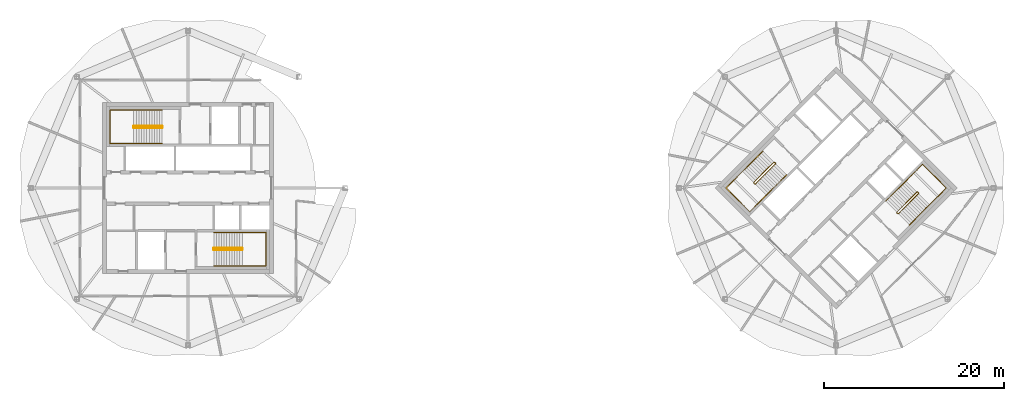
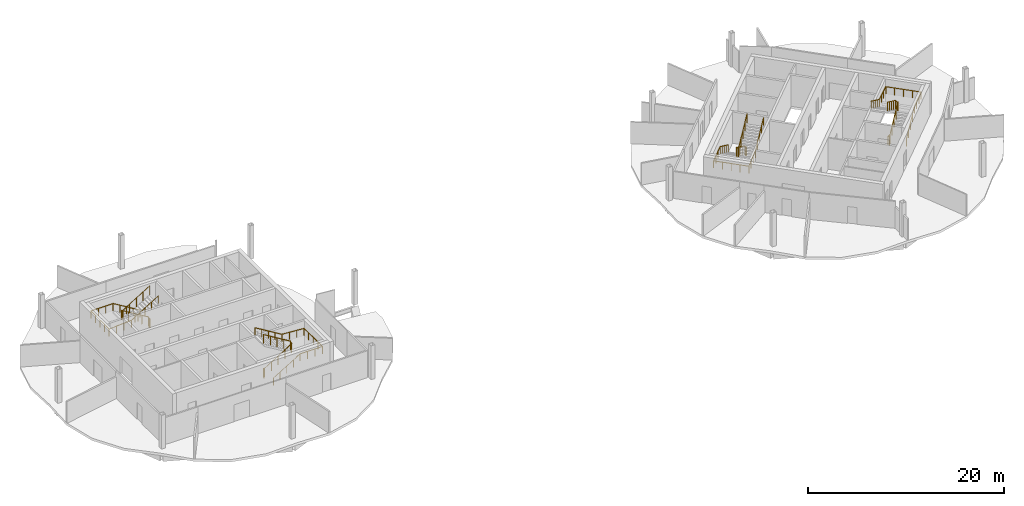
# One storey, part 11 of 11: 8 railings.
"""IFC4 building model written with IfcOpenShell, lengths in metres."""

from ifc_helpers import new_model, si_unit, direction, frame, origin, origin_2d, place, context, subcontext, project, spatial, circle, extrude, material, type_object, element, save


model = new_model("IFC4")

# Units and contexts
model_context = context("Model", 3, precision=1e-05, world=origin(), true_north=direction((0.0, 1.0)))
body_context = subcontext(model_context, "Body", "Model", "MODEL_VIEW")
ifc_project = project(units=[si_unit("LENGTHUNIT", "METRE"), si_unit("AREAUNIT", "SQUARE_METRE"), si_unit("VOLUMEUNIT", "CUBIC_METRE"), si_unit("PLANEANGLEUNIT", "RADIAN"), si_unit("MASSUNIT", "GRAM", prefix="KILO")], contexts=[model_context])

# Site, building, storey
site_placement = place(None, origin())
site = spatial("IfcSite", under=ifc_project, at=site_placement, CompositionType="ELEMENT")
building_placement = place(site_placement, origin())
building = spatial("IfcBuilding", under=site, at=building_placement, Name="Ogive Gate Towers", CompositionType="ELEMENT")
storey_placement = place(building_placement, frame((0.0, 0.0, 281.39990234375)))
storey = spatial("IfcBuildingStorey", under=building, at=storey_placement, Name="L66", CompositionType="ELEMENT", Elevation=281.39990234375)

# Railings
ifc_material = material(Name="Stainless steel", Category="steel")
railing_type_1 = type_object("IfcRailingType", Name="Stair guard 1100", PredefinedType="GUARDRAIL", material=ifc_material)
railing_1_placement = place(storey_placement, frame((-38.81494140625, 6.860107421875, 0.0)))
element("IfcRailing", 1, at=railing_1_placement, inside=storey, type_object=railing_type_1, Name="L66 ST1 stair guard 1", PredefinedType="GUARDRAIL", context=body_context, shape_type="SweptSolid", body=[
    extrude(circle(Radius=0.02392578125, at=origin_2d()), frame((0.0, 0.0, 1.076171875), z_axis=(0.0, -1.0, 0.0), x_axis=(1.0, 0.0, 0.0)), (0.0, 0.0, 1.0), 0.14501953125),
    extrude(circle(Radius=0.02392578125, at=origin_2d()), frame((0.0, -0.14501953125, 1.076171875), z_axis=(-0.187693211448, 0.730630159683, 0.656468451746), x_axis=(-0.968551454522, -0.24881334358, 0.0)), (0.0, 0.0, 1.0), 0.2666015625),
    extrude(circle(Radius=0.02392578125, at=origin_2d()), frame((-0.050048828125, 0.0498046875, 1.2509765625), z_axis=(-0.854199828955, 0.0, 0.519944854973), x_axis=(0.0, -1.0, 0.0)), (0.0, 0.0, 1.0), 3.702392578125),
    extrude(circle(Radius=0.02392578125, at=origin_2d()), frame((-3.212646484375, 0.0498046875, 3.17626953125), z_axis=(-0.707106781187, -0.707106781187, 0.0), x_axis=(0.707106781187, -0.707106781187, 0.0)), (0.0, 0.0, 1.0), 0.0703125),
    extrude(circle(Radius=0.02392578125, at=origin_2d()), frame((-3.262451171875, 0.0, 3.17626953125), z_axis=(0.0, -1.0, 0.0), x_axis=(1.0, 0.0, 0.0)), (0.0, 0.0, 1.0), 0.14501953125),
    extrude(circle(Radius=0.02392578125, at=origin_2d()), frame((-3.262451171875, -0.14501953125, 3.17626953125), z_axis=(0.263862480399, -0.265155923931, 0.927399011991), x_axis=(0.708833529934, 0.705375805398, 0.0)), (0.0, 0.0, 1.0), 0.188720703125),
    extrude(circle(Radius=0.02392578125, at=origin_2d()), frame((-3.212646484375, -0.195068359375, 3.35107421875), z_axis=(0.854199828955, 0.0, 0.519944854973), x_axis=(0.0, 1.0, 0.0)), (0.0, 0.0, 1.0), 3.702392578125),
    extrude(circle(Radius=0.02099609375, at=origin_2d()), origin(), (0.0, 0.0, 1.0), 1.052001953125),
    extrude(circle(Radius=0.02099609375, at=origin_2d()), frame((0.0, -0.14501953125, 0.0)), (0.0, 0.0, 1.0), 1.052001953125),
    extrude(circle(Radius=0.02099609375, at=origin_2d()), frame((-0.050048828125, 0.0498046875, 0.175048828125)), (0.0, 0.0, 1.0), 1.052001953125),
    extrude(circle(Radius=0.02099609375, at=origin_2d()), frame((-0.8408203125, 0.0498046875, 0.65625)), (0.0, 0.0, 1.0), 1.052001953125),
    extrude(circle(Radius=0.02099609375, at=origin_2d()), frame((-1.63134765625, 0.0498046875, 1.1376953125)), (0.0, 0.0, 1.0), 1.052001953125),
    extrude(circle(Radius=0.02099609375, at=origin_2d()), frame((-2.421875, 0.0498046875, 1.618896484375)), (0.0, 0.0, 1.0), 1.052001953125),
    extrude(circle(Radius=0.02099609375, at=origin_2d()), frame((-3.212646484375, 0.0498046875, 2.10009765625)), (0.0, 0.0, 1.0), 1.052001953125),
    extrude(circle(Radius=0.02099609375, at=origin_2d()), frame((-3.262451171875, 0.0, 2.10009765625)), (0.0, 0.0, 1.0), 1.052001953125),
    extrude(circle(Radius=0.02099609375, at=origin_2d()), frame((-3.262451171875, -0.14501953125, 2.10009765625)), (0.0, 0.0, 1.0), 1.052001953125),
    extrude(circle(Radius=0.02099609375, at=origin_2d()), frame((-3.212646484375, -0.195068359375, 2.275146484375)), (0.0, 0.0, 1.0), 1.052001953125),
    extrude(circle(Radius=0.02099609375, at=origin_2d()), frame((-2.421875, -0.195068359375, 2.75634765625)), (0.0, 0.0, 1.0), 1.052001953125),
    extrude(circle(Radius=0.02099609375, at=origin_2d()), frame((-1.63134765625, -0.195068359375, 3.23779296875)), (0.0, 0.0, 1.0), 1.052001953125),
    extrude(circle(Radius=0.02099609375, at=origin_2d()), frame((-0.8408203125, -0.195068359375, 3.718994140625)), (0.0, 0.0, 1.0), 1.052001953125),
    extrude(circle(Radius=0.02099609375, at=origin_2d()), frame((-0.050048828125, -0.195068359375, 4.2001953125)), (0.0, 0.0, 1.0), 1.052001953125),
])
railing_2_placement = place(storey_placement, frame((-33.18505859375, -6.860107421875, 0.0)))
element("IfcRailing", 2, at=railing_2_placement, inside=storey, type_object=railing_type_1, Name="L66 ST2 stair guard 1", PredefinedType="GUARDRAIL", context=body_context, shape_type="SweptSolid", body=[
    extrude(circle(Radius=0.02392578125, at=origin_2d()), frame((0.0, 0.0, 1.076171875), z_axis=(0.0, 1.0, 0.0), x_axis=(-1.0, 0.0, 0.0)), (0.0, 0.0, 1.0), 0.14501953125),
    extrude(circle(Radius=0.02392578125, at=origin_2d()), frame((0.0, 0.14501953125, 1.076171875), z_axis=(0.187693211448, -0.730630159683, 0.656468451746), x_axis=(0.968551454522, 0.24881334358, 0.0)), (0.0, 0.0, 1.0), 0.2666015625),
    extrude(circle(Radius=0.02392578125, at=origin_2d()), frame((0.050048828125, -0.0498046875, 1.2509765625), z_axis=(0.854199828955, 0.0, 0.519944854973), x_axis=(0.0, 1.0, 0.0)), (0.0, 0.0, 1.0), 3.702392578125),
    extrude(circle(Radius=0.02392578125, at=origin_2d()), frame((3.212646484375, -0.0498046875, 3.17626953125), z_axis=(0.707106781187, 0.707106781187, 0.0), x_axis=(-0.707106781187, 0.707106781187, 0.0)), (0.0, 0.0, 1.0), 0.0703125),
    extrude(circle(Radius=0.02392578125, at=origin_2d()), frame((3.262451171875, 0.0, 3.17626953125), z_axis=(0.0, 1.0, 0.0), x_axis=(-1.0, 0.0, 0.0)), (0.0, 0.0, 1.0), 0.14501953125),
    extrude(circle(Radius=0.02392578125, at=origin_2d()), frame((3.262451171875, 0.14501953125, 3.17626953125), z_axis=(-0.263862480399, 0.265155923931, 0.927399011991), x_axis=(-0.708833529934, -0.705375805398, 0.0)), (0.0, 0.0, 1.0), 0.188720703125),
    extrude(circle(Radius=0.02392578125, at=origin_2d()), frame((3.212646484375, 0.195068359375, 3.35107421875), z_axis=(-0.854199828955, 0.0, 0.519944854973), x_axis=(0.0, -1.0, 0.0)), (0.0, 0.0, 1.0), 3.702392578125),
    extrude(circle(Radius=0.02099609375, at=origin_2d()), origin(), (0.0, 0.0, 1.0), 1.052001953125),
    extrude(circle(Radius=0.02099609375, at=origin_2d()), frame((0.0, 0.14501953125, 0.0)), (0.0, 0.0, 1.0), 1.052001953125),
    extrude(circle(Radius=0.02099609375, at=origin_2d()), frame((0.050048828125, -0.0498046875, 0.175048828125)), (0.0, 0.0, 1.0), 1.052001953125),
    extrude(circle(Radius=0.02099609375, at=origin_2d()), frame((0.8408203125, -0.0498046875, 0.65625)), (0.0, 0.0, 1.0), 1.052001953125),
    extrude(circle(Radius=0.02099609375, at=origin_2d()), frame((1.63134765625, -0.0498046875, 1.1376953125)), (0.0, 0.0, 1.0), 1.052001953125),
    extrude(circle(Radius=0.02099609375, at=origin_2d()), frame((2.421875, -0.0498046875, 1.618896484375)), (0.0, 0.0, 1.0), 1.052001953125),
    extrude(circle(Radius=0.02099609375, at=origin_2d()), frame((3.212646484375, -0.0498046875, 2.10009765625)), (0.0, 0.0, 1.0), 1.052001953125),
    extrude(circle(Radius=0.02099609375, at=origin_2d()), frame((3.262451171875, 0.0, 2.10009765625)), (0.0, 0.0, 1.0), 1.052001953125),
    extrude(circle(Radius=0.02099609375, at=origin_2d()), frame((3.262451171875, 0.14501953125, 2.10009765625)), (0.0, 0.0, 1.0), 1.052001953125),
    extrude(circle(Radius=0.02099609375, at=origin_2d()), frame((3.212646484375, 0.195068359375, 2.275146484375)), (0.0, 0.0, 1.0), 1.052001953125),
    extrude(circle(Radius=0.02099609375, at=origin_2d()), frame((2.421875, 0.195068359375, 2.75634765625)), (0.0, 0.0, 1.0), 1.052001953125),
    extrude(circle(Radius=0.02099609375, at=origin_2d()), frame((1.63134765625, 0.195068359375, 3.23779296875)), (0.0, 0.0, 1.0), 1.052001953125),
    extrude(circle(Radius=0.02099609375, at=origin_2d()), frame((0.8408203125, 0.195068359375, 3.718994140625)), (0.0, 0.0, 1.0), 1.052001953125),
    extrude(circle(Radius=0.02099609375, at=origin_2d()), frame((0.050048828125, 0.195068359375, 4.2001953125)), (0.0, 0.0, 1.0), 1.052001953125),
])
railing_3_placement = place(storey_placement, frame((29.15869140625, 2.8603515625, 0.0)))
element("IfcRailing", 3, at=railing_3_placement, inside=storey, type_object=railing_type_1, Name="L66 ST1 stair guard 1", PredefinedType="GUARDRAIL", context=body_context, shape_type="SweptSolid", body=[
    extrude(circle(Radius=0.02392578125, at=origin_2d()), frame((0.0, 0.0, 1.076171875), z_axis=(0.707106781187, -0.707106781187, 0.0), x_axis=(0.707106781187, 0.707106781187, 0.0)), (0.0, 0.0, 1.0), 0.14501953125),
    extrude(circle(Radius=0.02392578125, at=origin_2d()), frame((0.1025390625, -0.1025390625, 1.076171875), z_axis=(-0.649075284728, 0.384501579105, 0.65639912433), x_axis=(-0.509669330572, -0.860370369942, 0.0)), (0.0, 0.0, 1.0), 0.2666015625),
    extrude(circle(Radius=0.02392578125, at=origin_2d()), frame((-0.070556640625, 0.0, 1.2509765625), z_axis=(-0.604012965068, -0.604012965068, 0.519939108031), x_axis=(0.707106781187, -0.707106781187, 0.0)), (0.0, 0.0, 1.0), 3.702392578125),
    extrude(circle(Radius=0.02392578125, at=origin_2d()), frame((-2.306884765625, -2.236328125, 3.17626953125), z_axis=(0.0, -1.0, 0.0), x_axis=(1.0, 0.0, 0.0)), (0.0, 0.0, 1.0), 0.07080078125),
    extrude(circle(Radius=0.02392578125, at=origin_2d()), frame((-2.306884765625, -2.30712890625, 3.17626953125), z_axis=(0.707106781187, -0.707106781187, 0.0), x_axis=(0.707106781187, 0.707106781187, 0.0)), (0.0, 0.0, 1.0), 0.14501953125),
    extrude(circle(Radius=0.02392578125, at=origin_2d()), frame((-2.204345703125, -2.40966796875, 3.17626953125), z_axis=(0.374954686889, 0.0, 0.927043139654), x_axis=(0.0, 1.0, 0.0)), (0.0, 0.0, 1.0), 0.188720703125),
    extrude(circle(Radius=0.02392578125, at=origin_2d()), frame((-2.133544921875, -2.40966796875, 3.35107421875), z_axis=(0.603971079388, 0.604037022294, 0.51995981668), x_axis=(-0.707145379772, 0.707068180494, 0.0)), (0.0, 0.0, 1.0), 3.702392578125),
    extrude(circle(Radius=0.02099609375, at=origin_2d()), origin(), (0.0, 0.0, 1.0), 1.052001953125),
    extrude(circle(Radius=0.02099609375, at=origin_2d()), frame((0.1025390625, -0.1025390625, 0.0)), (0.0, 0.0, 1.0), 1.052001953125),
    extrude(circle(Radius=0.02099609375, at=origin_2d()), frame((-0.070556640625, 0.0, 0.175048828125)), (0.0, 0.0, 1.0), 1.052001953125),
    extrude(circle(Radius=0.02099609375, at=origin_2d()), frame((-0.629638671875, -0.55908203125, 0.65625)), (0.0, 0.0, 1.0), 1.052001953125),
    extrude(circle(Radius=0.02099609375, at=origin_2d()), frame((-1.188720703125, -1.1181640625, 1.1376953125)), (0.0, 0.0, 1.0), 1.052001953125),
    extrude(circle(Radius=0.02099609375, at=origin_2d()), frame((-1.747802734375, -1.67724609375, 1.618896484375)), (0.0, 0.0, 1.0), 1.052001953125),
    extrude(circle(Radius=0.02099609375, at=origin_2d()), frame((-2.306884765625, -2.236328125, 2.10009765625)), (0.0, 0.0, 1.0), 1.052001953125),
    extrude(circle(Radius=0.02099609375, at=origin_2d()), frame((-2.306884765625, -2.30712890625, 2.10009765625)), (0.0, 0.0, 1.0), 1.052001953125),
    extrude(circle(Radius=0.02099609375, at=origin_2d()), frame((-2.204345703125, -2.40966796875, 2.10009765625)), (0.0, 0.0, 1.0), 1.052001953125),
    extrude(circle(Radius=0.02099609375, at=origin_2d()), frame((-2.133544921875, -2.40966796875, 2.275146484375)), (0.0, 0.0, 1.0), 1.052001953125),
    extrude(circle(Radius=0.02099609375, at=origin_2d()), frame((-1.574462890625, -1.8505859375, 2.75634765625)), (0.0, 0.0, 1.0), 1.052001953125),
    extrude(circle(Radius=0.02099609375, at=origin_2d()), frame((-1.015625, -1.29150390625, 3.23779296875)), (0.0, 0.0, 1.0), 1.052001953125),
    extrude(circle(Radius=0.02099609375, at=origin_2d()), frame((-0.45654296875, -0.732421875, 3.718994140625)), (0.0, 0.0, 1.0), 1.052001953125),
    extrude(circle(Radius=0.02099609375, at=origin_2d()), frame((0.1025390625, -0.17333984375, 4.2001953125)), (0.0, 0.0, 1.0), 1.052001953125),
])
railing_4_placement = place(storey_placement, frame((42.84130859375, -2.8603515625, 0.0)))
element("IfcRailing", 4, at=railing_4_placement, inside=storey, type_object=railing_type_1, Name="L66 ST2 stair guard 1", PredefinedType="GUARDRAIL", context=body_context, shape_type="SweptSolid", body=[
    extrude(circle(Radius=0.02392578125, at=origin_2d()), frame((0.0, 0.0, 1.076171875), z_axis=(-0.707106781187, 0.707106781187, 0.0), x_axis=(-0.707106781187, -0.707106781187, 0.0)), (0.0, 0.0, 1.0), 0.14501953125),
    extrude(circle(Radius=0.02392578125, at=origin_2d()), frame((-0.1025390625, 0.1025390625, 1.076171875), z_axis=(0.649075284728, -0.384501579105, 0.65639912433), x_axis=(0.509669330572, 0.860370369942, 0.0)), (0.0, 0.0, 1.0), 0.2666015625),
    extrude(circle(Radius=0.02392578125, at=origin_2d()), frame((0.070556640625, 0.0, 1.2509765625), z_axis=(0.604012965068, 0.604012965068, 0.519939108031), x_axis=(-0.707106781187, 0.707106781187, 0.0)), (0.0, 0.0, 1.0), 3.702392578125),
    extrude(circle(Radius=0.02392578125, at=origin_2d()), frame((2.306884765625, 2.236328125, 3.17626953125), z_axis=(0.0, 1.0, 0.0), x_axis=(-1.0, 0.0, 0.0)), (0.0, 0.0, 1.0), 0.07080078125),
    extrude(circle(Radius=0.02392578125, at=origin_2d()), frame((2.306884765625, 2.30712890625, 3.17626953125), z_axis=(-0.707106781187, 0.707106781187, 0.0), x_axis=(-0.707106781187, -0.707106781187, 0.0)), (0.0, 0.0, 1.0), 0.14501953125),
    extrude(circle(Radius=0.02392578125, at=origin_2d()), frame((2.204345703125, 2.40966796875, 3.17626953125), z_axis=(-0.374954686889, 0.0, 0.927043139654), x_axis=(0.0, -1.0, 0.0)), (0.0, 0.0, 1.0), 0.188720703125),
    extrude(circle(Radius=0.02392578125, at=origin_2d()), frame((2.133544921875, 2.40966796875, 3.35107421875), z_axis=(-0.603971079388, -0.604037022294, 0.51995981668), x_axis=(0.707145379772, -0.707068180494, 0.0)), (0.0, 0.0, 1.0), 3.702392578125),
    extrude(circle(Radius=0.02099609375, at=origin_2d()), origin(), (0.0, 0.0, 1.0), 1.052001953125),
    extrude(circle(Radius=0.02099609375, at=origin_2d()), frame((-0.1025390625, 0.1025390625, 0.0)), (0.0, 0.0, 1.0), 1.052001953125),
    extrude(circle(Radius=0.02099609375, at=origin_2d()), frame((0.070556640625, 0.0, 0.175048828125)), (0.0, 0.0, 1.0), 1.052001953125),
    extrude(circle(Radius=0.02099609375, at=origin_2d()), frame((0.629638671875, 0.55908203125, 0.65625)), (0.0, 0.0, 1.0), 1.052001953125),
    extrude(circle(Radius=0.02099609375, at=origin_2d()), frame((1.188720703125, 1.1181640625, 1.1376953125)), (0.0, 0.0, 1.0), 1.052001953125),
    extrude(circle(Radius=0.02099609375, at=origin_2d()), frame((1.747802734375, 1.67724609375, 1.618896484375)), (0.0, 0.0, 1.0), 1.052001953125),
    extrude(circle(Radius=0.02099609375, at=origin_2d()), frame((2.306884765625, 2.236328125, 2.10009765625)), (0.0, 0.0, 1.0), 1.052001953125),
    extrude(circle(Radius=0.02099609375, at=origin_2d()), frame((2.306884765625, 2.30712890625, 2.10009765625)), (0.0, 0.0, 1.0), 1.052001953125),
    extrude(circle(Radius=0.02099609375, at=origin_2d()), frame((2.204345703125, 2.40966796875, 2.10009765625)), (0.0, 0.0, 1.0), 1.052001953125),
    extrude(circle(Radius=0.02099609375, at=origin_2d()), frame((2.133544921875, 2.40966796875, 2.275146484375)), (0.0, 0.0, 1.0), 1.052001953125),
    extrude(circle(Radius=0.02099609375, at=origin_2d()), frame((1.574462890625, 1.8505859375, 2.75634765625)), (0.0, 0.0, 1.0), 1.052001953125),
    extrude(circle(Radius=0.02099609375, at=origin_2d()), frame((1.015625, 1.29150390625, 3.23779296875)), (0.0, 0.0, 1.0), 1.052001953125),
    extrude(circle(Radius=0.02099609375, at=origin_2d()), frame((0.45654296875, 0.732421875, 3.718994140625)), (0.0, 0.0, 1.0), 1.052001953125),
    extrude(circle(Radius=0.02099609375, at=origin_2d()), frame((-0.1025390625, 0.17333984375, 4.2001953125)), (0.0, 0.0, 1.0), 1.052001953125),
])
railing_type_2 = type_object("IfcRailingType", Name="Stair handrail 900", PredefinedType="HANDRAIL", material=ifc_material)
railing_5_placement = place(storey_placement, frame((-38.864990234375, 8.64990234375, 0.175048828125)))
element("IfcRailing", 5, at=railing_5_placement, inside=storey, type_object=railing_type_2, Name="L66 ST1 stair handrail 1", PredefinedType="HANDRAIL", context=body_context, shape_type="SweptSolid", body=[
    extrude(circle(Radius=0.02392578125, at=origin_2d()), frame((0.0, 0.0, 0.8759765625), z_axis=(-0.854199828955, 0.0, 0.519944854973), x_axis=(0.0, -1.0, 0.0)), (0.0, 0.0, 1.0), 3.702392578125),
    extrude(circle(Radius=0.02392578125, at=origin_2d()), frame((-3.16259765625, 0.0, 2.80078125), z_axis=(-1.0, 0.0, 0.0), x_axis=(0.0, -1.0, 0.0)), (0.0, 0.0, 1.0), 2.622314453125),
    extrude(circle(Radius=0.02392578125, at=origin_2d()), frame((-5.784912109375, 0.0, 2.80078125), z_axis=(0.0, -1.0, 0.0), x_axis=(1.0, 0.0, 0.0)), (0.0, 0.0, 1.0), 3.724853515625),
    extrude(circle(Radius=0.02392578125, at=origin_2d()), frame((-5.784912109375, -3.724853515625, 2.80078125), z_axis=(0.997779399599, 0.0, 0.066605328136), x_axis=(0.0, 1.0, 0.0)), (0.0, 0.0, 1.0), 2.628173828125),
    extrude(circle(Radius=0.02392578125, at=origin_2d()), frame((-3.16259765625, -3.724853515625, 2.97607421875), z_axis=(0.854199828955, 0.0, 0.519944854973), x_axis=(0.0, 1.0, 0.0)), (0.0, 0.0, 1.0), 3.702392578125),
    extrude(circle(Radius=0.02099609375, at=origin_2d()), origin(), (0.0, 0.0, 1.0), 0.851806640625),
    extrude(circle(Radius=0.02099609375, at=origin_2d()), frame((-0.79052734375, 0.0, 0.481201171875)), (0.0, 0.0, 1.0), 0.851806640625),
    extrude(circle(Radius=0.02099609375, at=origin_2d()), frame((-1.581298828125, 0.0, 0.96240234375)), (0.0, 0.0, 1.0), 0.851806640625),
    extrude(circle(Radius=0.02099609375, at=origin_2d()), frame((-2.3720703125, 0.0, 1.44384765625)), (0.0, 0.0, 1.0), 0.851806640625),
    extrude(circle(Radius=0.02099609375, at=origin_2d()), frame((-3.16259765625, 0.0, 1.925048828125)), (0.0, 0.0, 1.0), 0.851806640625),
    extrude(circle(Radius=0.02099609375, at=origin_2d()), frame((-4.03662109375, 0.0, 1.925048828125)), (0.0, 0.0, 1.0), 0.851806640625),
    extrude(circle(Radius=0.02099609375, at=origin_2d()), frame((-4.910888671875, 0.0, 1.925048828125)), (0.0, 0.0, 1.0), 0.851806640625),
    extrude(circle(Radius=0.02099609375, at=origin_2d()), frame((-5.784912109375, 0.0, 1.925048828125)), (0.0, 0.0, 1.0), 0.851806640625),
    extrude(circle(Radius=0.02099609375, at=origin_2d()), frame((-5.784912109375, -0.93115234375, 1.925048828125)), (0.0, 0.0, 1.0), 0.851806640625),
    extrude(circle(Radius=0.02099609375, at=origin_2d()), frame((-5.784912109375, -1.8623046875, 1.925048828125)), (0.0, 0.0, 1.0), 0.851806640625),
    extrude(circle(Radius=0.02099609375, at=origin_2d()), frame((-5.784912109375, -2.793701171875, 1.925048828125)), (0.0, 0.0, 1.0), 0.851806640625),
    extrude(circle(Radius=0.02099609375, at=origin_2d()), frame((-5.784912109375, -3.724853515625, 1.925048828125)), (0.0, 0.0, 1.0), 0.851806640625),
    extrude(circle(Radius=0.02099609375, at=origin_2d()), frame((-4.910888671875, -3.724853515625, 1.9833984375)), (0.0, 0.0, 1.0), 0.851806640625),
    extrude(circle(Radius=0.02099609375, at=origin_2d()), frame((-4.03662109375, -3.724853515625, 2.041748046875)), (0.0, 0.0, 1.0), 0.851806640625),
    extrude(circle(Radius=0.02099609375, at=origin_2d()), frame((-3.16259765625, -3.724853515625, 2.10009765625)), (0.0, 0.0, 1.0), 0.851806640625),
    extrude(circle(Radius=0.02099609375, at=origin_2d()), frame((-2.3720703125, -3.724853515625, 2.581298828125)), (0.0, 0.0, 1.0), 0.851806640625),
    extrude(circle(Radius=0.02099609375, at=origin_2d()), frame((-1.581298828125, -3.724853515625, 3.0625)), (0.0, 0.0, 1.0), 0.851806640625),
    extrude(circle(Radius=0.02099609375, at=origin_2d()), frame((-0.79052734375, -3.724853515625, 3.5439453125)), (0.0, 0.0, 1.0), 0.851806640625),
    extrude(circle(Radius=0.02099609375, at=origin_2d()), frame((0.0, -3.724853515625, 4.025146484375)), (0.0, 0.0, 1.0), 0.851806640625),
])
railing_6_placement = place(storey_placement, frame((-33.135009765625, -8.64990234375, 0.175048828125)))
element("IfcRailing", 6, at=railing_6_placement, inside=storey, type_object=railing_type_2, Name="L66 ST2 stair handrail 1", PredefinedType="HANDRAIL", context=body_context, shape_type="SweptSolid", body=[
    extrude(circle(Radius=0.02392578125, at=origin_2d()), frame((0.0, 0.0, 0.8759765625), z_axis=(0.854199828955, 0.0, 0.519944854973), x_axis=(0.0, 1.0, 0.0)), (0.0, 0.0, 1.0), 3.702392578125),
    extrude(circle(Radius=0.02392578125, at=origin_2d()), frame((3.16259765625, 0.0, 2.80078125), z_axis=(1.0, 0.0, 0.0), x_axis=(0.0, 1.0, 0.0)), (0.0, 0.0, 1.0), 2.622314453125),
    extrude(circle(Radius=0.02392578125, at=origin_2d()), frame((5.784912109375, 0.0, 2.80078125), z_axis=(0.0, 1.0, 0.0), x_axis=(-1.0, 0.0, 0.0)), (0.0, 0.0, 1.0), 3.724853515625),
    extrude(circle(Radius=0.02392578125, at=origin_2d()), frame((5.784912109375, 3.724853515625, 2.80078125), z_axis=(-0.997779399599, 0.0, 0.066605328136), x_axis=(0.0, -1.0, 0.0)), (0.0, 0.0, 1.0), 2.628173828125),
    extrude(circle(Radius=0.02392578125, at=origin_2d()), frame((3.16259765625, 3.724853515625, 2.97607421875), z_axis=(-0.854199828955, 0.0, 0.519944854973), x_axis=(0.0, -1.0, 0.0)), (0.0, 0.0, 1.0), 3.702392578125),
    extrude(circle(Radius=0.02099609375, at=origin_2d()), origin(), (0.0, 0.0, 1.0), 0.851806640625),
    extrude(circle(Radius=0.02099609375, at=origin_2d()), frame((0.79052734375, 0.0, 0.481201171875)), (0.0, 0.0, 1.0), 0.851806640625),
    extrude(circle(Radius=0.02099609375, at=origin_2d()), frame((1.581298828125, 0.0, 0.96240234375)), (0.0, 0.0, 1.0), 0.851806640625),
    extrude(circle(Radius=0.02099609375, at=origin_2d()), frame((2.3720703125, 0.0, 1.44384765625)), (0.0, 0.0, 1.0), 0.851806640625),
    extrude(circle(Radius=0.02099609375, at=origin_2d()), frame((3.16259765625, 0.0, 1.925048828125)), (0.0, 0.0, 1.0), 0.851806640625),
    extrude(circle(Radius=0.02099609375, at=origin_2d()), frame((4.03662109375, 0.0, 1.925048828125)), (0.0, 0.0, 1.0), 0.851806640625),
    extrude(circle(Radius=0.02099609375, at=origin_2d()), frame((4.910888671875, 0.0, 1.925048828125)), (0.0, 0.0, 1.0), 0.851806640625),
    extrude(circle(Radius=0.02099609375, at=origin_2d()), frame((5.784912109375, 0.0, 1.925048828125)), (0.0, 0.0, 1.0), 0.851806640625),
    extrude(circle(Radius=0.02099609375, at=origin_2d()), frame((5.784912109375, 0.93115234375, 1.925048828125)), (0.0, 0.0, 1.0), 0.851806640625),
    extrude(circle(Radius=0.02099609375, at=origin_2d()), frame((5.784912109375, 1.8623046875, 1.925048828125)), (0.0, 0.0, 1.0), 0.851806640625),
    extrude(circle(Radius=0.02099609375, at=origin_2d()), frame((5.784912109375, 2.793701171875, 1.925048828125)), (0.0, 0.0, 1.0), 0.851806640625),
    extrude(circle(Radius=0.02099609375, at=origin_2d()), frame((5.784912109375, 3.724853515625, 1.925048828125)), (0.0, 0.0, 1.0), 0.851806640625),
    extrude(circle(Radius=0.02099609375, at=origin_2d()), frame((4.910888671875, 3.724853515625, 1.9833984375)), (0.0, 0.0, 1.0), 0.851806640625),
    extrude(circle(Radius=0.02099609375, at=origin_2d()), frame((4.03662109375, 3.724853515625, 2.041748046875)), (0.0, 0.0, 1.0), 0.851806640625),
    extrude(circle(Radius=0.02099609375, at=origin_2d()), frame((3.16259765625, 3.724853515625, 2.10009765625)), (0.0, 0.0, 1.0), 0.851806640625),
    extrude(circle(Radius=0.02099609375, at=origin_2d()), frame((2.3720703125, 3.724853515625, 2.581298828125)), (0.0, 0.0, 1.0), 0.851806640625),
    extrude(circle(Radius=0.02099609375, at=origin_2d()), frame((1.581298828125, 3.724853515625, 3.0625)), (0.0, 0.0, 1.0), 0.851806640625),
    extrude(circle(Radius=0.02099609375, at=origin_2d()), frame((0.79052734375, 3.724853515625, 3.5439453125)), (0.0, 0.0, 1.0), 0.851806640625),
    extrude(circle(Radius=0.02099609375, at=origin_2d()), frame((0.0, 3.724853515625, 4.025146484375)), (0.0, 0.0, 1.0), 0.851806640625),
])
railing_7_placement = place(storey_placement, frame((27.857666015625, 4.090576171875, 0.175048828125)))
element("IfcRailing", 7, at=railing_7_placement, inside=storey, type_object=railing_type_2, Name="L66 ST1 stair handrail 1", PredefinedType="HANDRAIL", context=body_context, shape_type="SweptSolid", body=[
    extrude(circle(Radius=0.02392578125, at=origin_2d()), frame((0.0, 0.0, 0.8759765625), z_axis=(-0.604037022294, -0.603971079388, 0.51995981668), x_axis=(0.707068180494, -0.707145379772, 0.0)), (0.0, 0.0, 1.0), 3.702392578125),
    extrude(circle(Radius=0.02392578125, at=origin_2d()), frame((-2.236328125, -2.236083984375, 2.80078125), z_axis=(-0.70706023191, -0.707153327399, 0.0), x_axis=(0.707153327399, -0.70706023191, 0.0)), (0.0, 0.0, 1.0), 2.62255859375),
    extrude(circle(Radius=0.02392578125, at=origin_2d()), frame((-4.090576171875, -4.090576171875, 2.80078125), z_axis=(0.707106781187, -0.707106781187, 0.0), x_axis=(0.707106781187, 0.707106781187, 0.0)), (0.0, 0.0, 1.0), 3.72509765625),
    extrude(circle(Radius=0.02392578125, at=origin_2d()), frame((-1.45654296875, -6.724609375, 2.80078125), z_axis=(0.705490325719, 0.705583214505, 0.066601259189), x_axis=(-0.707153327399, 0.70706023191, 0.0)), (0.0, 0.0, 1.0), 2.62841796875),
    extrude(circle(Radius=0.02392578125, at=origin_2d()), frame((0.397705078125, -4.8701171875, 2.97607421875), z_axis=(0.604037022294, 0.603971079388, 0.51995981668), x_axis=(-0.707068180494, 0.707145379772, 0.0)), (0.0, 0.0, 1.0), 3.702392578125),
    extrude(circle(Radius=0.02099609375, at=origin_2d()), origin(), (0.0, 0.0, 1.0), 0.851806640625),
    extrude(circle(Radius=0.02099609375, at=origin_2d()), frame((-0.55908203125, -0.55908203125, 0.481201171875)), (0.0, 0.0, 1.0), 0.851806640625),
    extrude(circle(Radius=0.02099609375, at=origin_2d()), frame((-1.1181640625, -1.1181640625, 0.96240234375)), (0.0, 0.0, 1.0), 0.851806640625),
    extrude(circle(Radius=0.02099609375, at=origin_2d()), frame((-1.67724609375, -1.677001953125, 1.44384765625)), (0.0, 0.0, 1.0), 0.851806640625),
    extrude(circle(Radius=0.02099609375, at=origin_2d()), frame((-2.236328125, -2.236083984375, 1.925048828125)), (0.0, 0.0, 1.0), 0.851806640625),
    extrude(circle(Radius=0.02099609375, at=origin_2d()), frame((-2.8544921875, -2.854248046875, 1.925048828125)), (0.0, 0.0, 1.0), 0.851806640625),
    extrude(circle(Radius=0.02099609375, at=origin_2d()), frame((-3.472412109375, -3.472412109375, 1.925048828125)), (0.0, 0.0, 1.0), 0.851806640625),
    extrude(circle(Radius=0.02099609375, at=origin_2d()), frame((-4.090576171875, -4.090576171875, 1.925048828125)), (0.0, 0.0, 1.0), 0.851806640625),
    extrude(circle(Radius=0.02099609375, at=origin_2d()), frame((-3.43212890625, -4.7490234375, 1.925048828125)), (0.0, 0.0, 1.0), 0.851806640625),
    extrude(circle(Radius=0.02099609375, at=origin_2d()), frame((-2.7734375, -5.40771484375, 1.925048828125)), (0.0, 0.0, 1.0), 0.851806640625),
    extrude(circle(Radius=0.02099609375, at=origin_2d()), frame((-2.114990234375, -6.066162109375, 1.925048828125)), (0.0, 0.0, 1.0), 0.851806640625),
    extrude(circle(Radius=0.02099609375, at=origin_2d()), frame((-1.45654296875, -6.724609375, 1.925048828125)), (0.0, 0.0, 1.0), 0.851806640625),
    extrude(circle(Radius=0.02099609375, at=origin_2d()), frame((-0.83837890625, -6.1064453125, 1.9833984375)), (0.0, 0.0, 1.0), 0.851806640625),
    extrude(circle(Radius=0.02099609375, at=origin_2d()), frame((-0.220458984375, -5.48828125, 2.041748046875)), (0.0, 0.0, 1.0), 0.851806640625),
    extrude(circle(Radius=0.02099609375, at=origin_2d()), frame((0.397705078125, -4.8701171875, 2.10009765625)), (0.0, 0.0, 1.0), 0.851806640625),
    extrude(circle(Radius=0.02099609375, at=origin_2d()), frame((0.956787109375, -4.31103515625, 2.581298828125)), (0.0, 0.0, 1.0), 0.851806640625),
    extrude(circle(Radius=0.02099609375, at=origin_2d()), frame((1.515869140625, -3.751953125, 3.0625)), (0.0, 0.0, 1.0), 0.851806640625),
    extrude(circle(Radius=0.02099609375, at=origin_2d()), frame((2.074951171875, -3.193115234375, 3.5439453125)), (0.0, 0.0, 1.0), 0.851806640625),
    extrude(circle(Radius=0.02099609375, at=origin_2d()), frame((2.634033203125, -2.634033203125, 4.025146484375)), (0.0, 0.0, 1.0), 0.851806640625),
])
railing_8_placement = place(storey_placement, frame((44.142333984375, -4.090576171875, 0.175048828125)))
element("IfcRailing", 8, at=railing_8_placement, inside=storey, type_object=railing_type_2, Name="L66 ST2 stair handrail 1", PredefinedType="HANDRAIL", context=body_context, shape_type="SweptSolid", body=[
    extrude(circle(Radius=0.02392578125, at=origin_2d()), frame((0.0, 0.0, 0.8759765625), z_axis=(0.604037022294, 0.603971079388, 0.51995981668), x_axis=(-0.707068180494, 0.707145379772, 0.0)), (0.0, 0.0, 1.0), 3.702392578125),
    extrude(circle(Radius=0.02392578125, at=origin_2d()), frame((2.236328125, 2.236083984375, 2.80078125), z_axis=(0.70706023191, 0.707153327399, 0.0), x_axis=(-0.707153327399, 0.70706023191, 0.0)), (0.0, 0.0, 1.0), 2.62255859375),
    extrude(circle(Radius=0.02392578125, at=origin_2d()), frame((4.090576171875, 4.090576171875, 2.80078125), z_axis=(-0.707106781187, 0.707106781187, 0.0), x_axis=(-0.707106781187, -0.707106781187, 0.0)), (0.0, 0.0, 1.0), 3.72509765625),
    extrude(circle(Radius=0.02392578125, at=origin_2d()), frame((1.45654296875, 6.724609375, 2.80078125), z_axis=(-0.705490325719, -0.705583214505, 0.066601259189), x_axis=(0.707153327399, -0.70706023191, 0.0)), (0.0, 0.0, 1.0), 2.62841796875),
    extrude(circle(Radius=0.02392578125, at=origin_2d()), frame((-0.397705078125, 4.8701171875, 2.97607421875), z_axis=(-0.604037022294, -0.603971079388, 0.51995981668), x_axis=(0.707068180494, -0.707145379772, 0.0)), (0.0, 0.0, 1.0), 3.702392578125),
    extrude(circle(Radius=0.02099609375, at=origin_2d()), origin(), (0.0, 0.0, 1.0), 0.851806640625),
    extrude(circle(Radius=0.02099609375, at=origin_2d()), frame((0.55908203125, 0.55908203125, 0.481201171875)), (0.0, 0.0, 1.0), 0.851806640625),
    extrude(circle(Radius=0.02099609375, at=origin_2d()), frame((1.1181640625, 1.1181640625, 0.96240234375)), (0.0, 0.0, 1.0), 0.851806640625),
    extrude(circle(Radius=0.02099609375, at=origin_2d()), frame((1.67724609375, 1.677001953125, 1.44384765625)), (0.0, 0.0, 1.0), 0.851806640625),
    extrude(circle(Radius=0.02099609375, at=origin_2d()), frame((2.236328125, 2.236083984375, 1.925048828125)), (0.0, 0.0, 1.0), 0.851806640625),
    extrude(circle(Radius=0.02099609375, at=origin_2d()), frame((2.8544921875, 2.854248046875, 1.925048828125)), (0.0, 0.0, 1.0), 0.851806640625),
    extrude(circle(Radius=0.02099609375, at=origin_2d()), frame((3.472412109375, 3.472412109375, 1.925048828125)), (0.0, 0.0, 1.0), 0.851806640625),
    extrude(circle(Radius=0.02099609375, at=origin_2d()), frame((4.090576171875, 4.090576171875, 1.925048828125)), (0.0, 0.0, 1.0), 0.851806640625),
    extrude(circle(Radius=0.02099609375, at=origin_2d()), frame((3.43212890625, 4.7490234375, 1.925048828125)), (0.0, 0.0, 1.0), 0.851806640625),
    extrude(circle(Radius=0.02099609375, at=origin_2d()), frame((2.7734375, 5.40771484375, 1.925048828125)), (0.0, 0.0, 1.0), 0.851806640625),
    extrude(circle(Radius=0.02099609375, at=origin_2d()), frame((2.114990234375, 6.066162109375, 1.925048828125)), (0.0, 0.0, 1.0), 0.851806640625),
    extrude(circle(Radius=0.02099609375, at=origin_2d()), frame((1.45654296875, 6.724609375, 1.925048828125)), (0.0, 0.0, 1.0), 0.851806640625),
    extrude(circle(Radius=0.02099609375, at=origin_2d()), frame((0.83837890625, 6.1064453125, 1.9833984375)), (0.0, 0.0, 1.0), 0.851806640625),
    extrude(circle(Radius=0.02099609375, at=origin_2d()), frame((0.220458984375, 5.48828125, 2.041748046875)), (0.0, 0.0, 1.0), 0.851806640625),
    extrude(circle(Radius=0.02099609375, at=origin_2d()), frame((-0.397705078125, 4.8701171875, 2.10009765625)), (0.0, 0.0, 1.0), 0.851806640625),
    extrude(circle(Radius=0.02099609375, at=origin_2d()), frame((-0.956787109375, 4.31103515625, 2.581298828125)), (0.0, 0.0, 1.0), 0.851806640625),
    extrude(circle(Radius=0.02099609375, at=origin_2d()), frame((-1.515869140625, 3.751953125, 3.0625)), (0.0, 0.0, 1.0), 0.851806640625),
    extrude(circle(Radius=0.02099609375, at=origin_2d()), frame((-2.074951171875, 3.193115234375, 3.5439453125)), (0.0, 0.0, 1.0), 0.851806640625),
    extrude(circle(Radius=0.02099609375, at=origin_2d()), frame((-2.634033203125, 2.634033203125, 4.025146484375)), (0.0, 0.0, 1.0), 0.851806640625),
])

save(model, "model.ifc")
